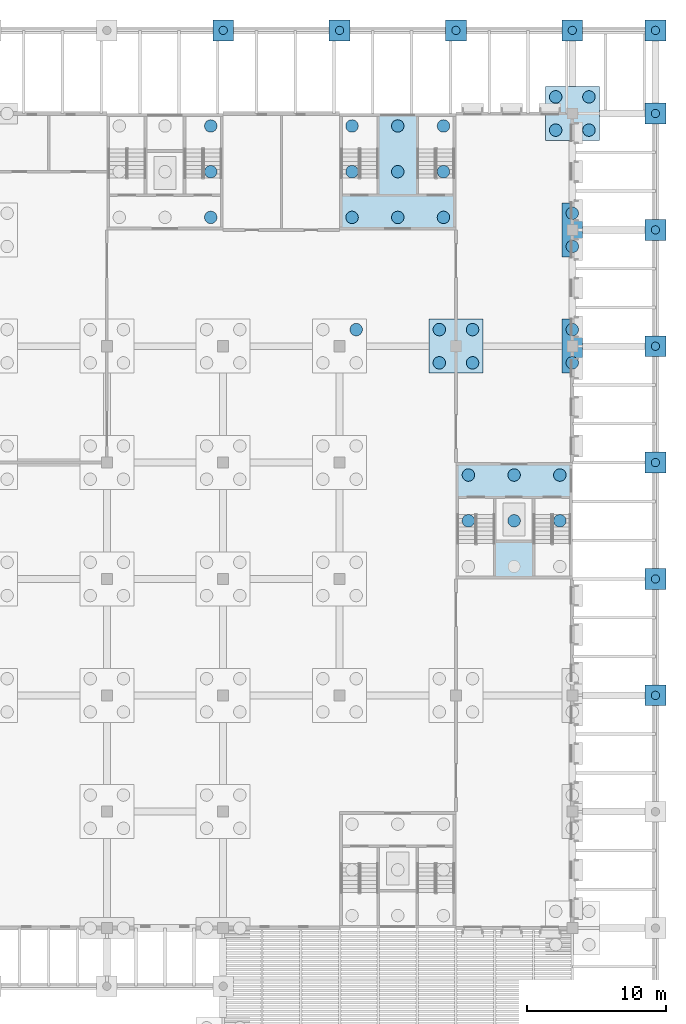
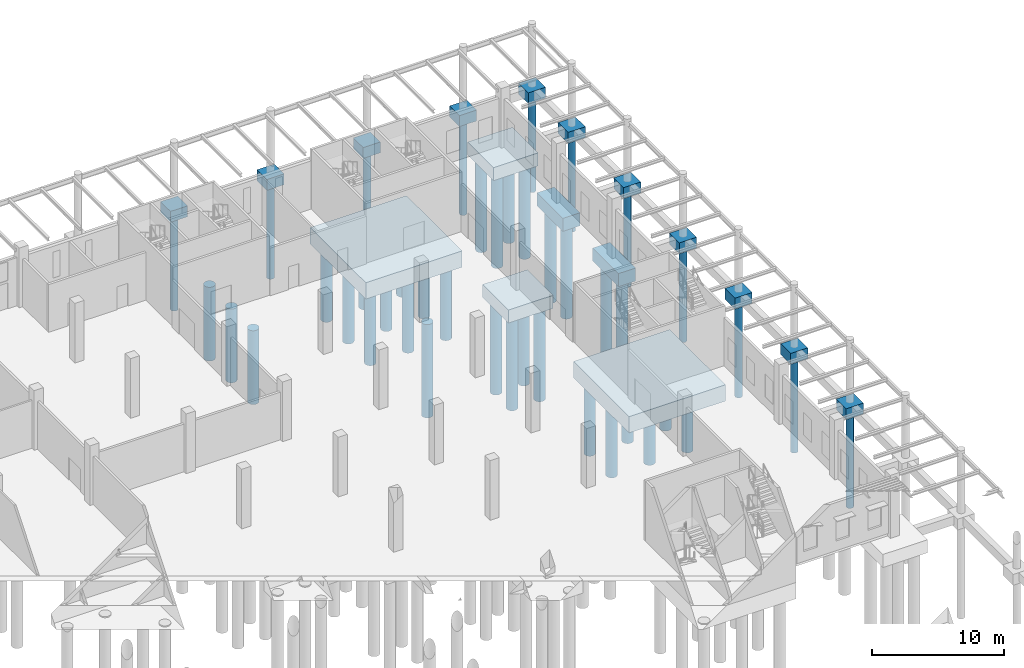
# One storey, part 5 of 82: 42 piles, 17 footings.
"""IFC4 building model written with IfcOpenShell, lengths in metres."""

from ifc_helpers import new_model, si_unit, direction, frame, origin, origin_2d, place, context, subcontext, project, spatial, rectangle, circle, extrude, material, material_profile, profile_set, type_object, element, save


model = new_model("IFC4")

# Units and contexts
model_context = context("Model", 3, precision=1e-05, world=origin(), true_north=direction((0.0, 1.0)))
body_context = subcontext(model_context, "Body", "Model", "MODEL_VIEW")
ifc_project = project(units=[si_unit("LENGTHUNIT", "METRE"), si_unit("AREAUNIT", "SQUARE_METRE"), si_unit("VOLUMEUNIT", "CUBIC_METRE"), si_unit("PLANEANGLEUNIT", "RADIAN"), si_unit("MASSUNIT", "GRAM", prefix="KILO")], contexts=[model_context])

# Site, building, storey
site_placement = place(None, origin())
site = spatial("IfcSite", under=ifc_project, at=site_placement, CompositionType="ELEMENT")
building_placement = place(site_placement, origin())
building = spatial("IfcBuilding", under=site, at=building_placement, Name="Almond Square Museum", CompositionType="ELEMENT")
storey_placement = place(building_placement, origin())
storey = spatial("IfcBuildingStorey", under=building, at=storey_placement, Name="L00", CompositionType="ELEMENT", Elevation=0.0)

# Piles
ifc_material_1 = material(Name="Concrete C35/45", Category="concrete")
ifc_material_profile_1 = material_profile(ifc_material_1, circle(Radius=0.300048828125, at=origin_2d()))
ifc_profile_set_1 = profile_set([ifc_material_profile_1], Name="Concrete C35/45")
pile_type_1 = type_object("IfcPileType", Name="Bored pile D600 C35/45", PredefinedType="BORED", material=ifc_profile_set_1)
for number, where, z_axis, x_axis, name in (
    (1, (163.199951171875, 67.199951171875, -1.199951171875), (0.0, 0.0, -1.0), (1.0, 0.0, 0.0), "Bored pile 138-1"),
    (2, (163.199951171875, 75.60009765625, -1.199951171875), (0.0, 0.0, -1.0), (1.0, 0.0, 0.0), "Bored pile 153-1"),
    (3, (163.199951171875, 84.0, -1.199951171875), (0.0, 0.0, -1.0), (1.0, 0.0, 0.0), "Bored pile 172-1"),
    (4, (163.199951171875, 92.39990234375, -1.199951171875), (0.0, 0.0, -1.0), (1.0, 0.0, 0.0), "Bored pile 188-1"),
    (5, (163.199951171875, 100.800048828125, -1.199951171875), (0.0, 0.0, -1.0), (1.0, 0.0, 0.0), "Bored pile 200-1"),
    (6, (163.199951171875, 109.199951171875, -1.199951171875), (0.0, 0.0, -1.0), (1.0, 0.0, 0.0), "Bored pile 218-1"),
    (7, (132.0, 115.199951171875, -1.199951171875), (0.0, 0.0, -1.0), (1.0, 0.0, 0.0), "Bored pile 235-1"),
    (8, (140.39990234375, 115.199951171875, -1.199951171875), (0.0, 0.0, -1.0), (1.0, 0.0, 0.0), "Bored pile 236-1"),
    (9, (148.800048828125, 115.199951171875, -1.199951171875), (0.0, 0.0, -1.0), (1.0, 0.0, 0.0), "Bored pile 237-1"),
    (10, (157.199951171875, 115.199951171875, -1.199951171875), (0.0, 0.0, -1.0), (1.0, 0.0, 0.0), "Bored pile 238-1"),
    (11, (163.199951171875, 115.199951171875, -1.199951171875), (0.0, 0.0, -1.0), (1.0, 0.0, 0.0), "Bored pile 239-1"),
):
    element("IfcPile", number, at=place(storey_placement, frame(where, z_axis=z_axis, x_axis=x_axis)), inside=storey, type_object=pile_type_1, Name=name, PredefinedType="BORED", context=body_context, shape_type="SweptSolid", body=[
        extrude(circle(Radius=0.300048828125, at=origin_2d()), origin(), (0.0, 0.0, 1.0), 8.800048828125),
    ])
ifc_material_2 = material(Name="Concrete C35/45", Category="concrete")
ifc_material_profile_2 = material_profile(ifc_material_2, circle(Radius=0.449951171875, at=origin_2d()))
ifc_profile_set_2 = profile_set([ifc_material_profile_2], Name="Concrete C35/45")
pile_type_2 = type_object("IfcPileType", Name="Bored pile D900 C35/45", PredefinedType="BORED", material=ifc_profile_set_2)
for number, where, z_axis, x_axis, name in (
    (12, (149.699951171875, 79.800048828125, -3.199951171875), (0.0, 0.0, -1.0), (1.0, 0.0, 0.0), "Bored pile 156-2"),
    (13, (149.699951171875, 83.10009765625, -3.199951171875), (0.0, 0.0, -1.0), (1.0, 0.0, 0.0), "Bored pile 156-3"),
    (14, (153.0, 79.800048828125, -3.199951171875), (0.0, 0.0, -1.0), (1.0, 0.0, 0.0), "Bored pile 156-5"),
    (15, (153.0, 83.10009765625, -3.199951171875), (0.0, 0.0, -1.0), (1.0, 0.0, 0.0), "Bored pile 156-6"),
    (16, (156.300048828125, 79.800048828125, -3.199951171875), (0.0, 0.0, -1.0), (1.0, 0.0, 0.0), "Bored pile 156-8"),
    (17, (156.300048828125, 83.10009765625, -3.199951171875), (0.0, 0.0, -1.0), (1.0, 0.0, 0.0), "Bored pile 156-9"),
):
    element("IfcPile", number, at=place(storey_placement, frame(where, z_axis=z_axis, x_axis=x_axis)), inside=storey, type_object=pile_type_2, Name=name, PredefinedType="BORED", context=body_context, shape_type="SweptSolid", body=[
        extrude(circle(Radius=0.449951171875, at=origin_2d()), origin(), (0.0, 0.0, 1.0), 6.800048828125),
    ])
for number, where, z_axis, x_axis, name in (
    (18, (141.60009765625, 93.60009765625, -1.39990234375), (0.0, 0.0, -1.0), (1.0, 0.0, 0.0), "Bored pile 184-4"),
    (19, (147.60009765625, 91.199951171875, -1.39990234375), (0.0, 0.0, -1.0), (1.0, 0.0, 0.0), "Bored pile 185-1"),
    (20, (147.60009765625, 93.60009765625, -1.39990234375), (0.0, 0.0, -1.0), (1.0, 0.0, 0.0), "Bored pile 185-2"),
    (21, (150.0, 91.199951171875, -1.39990234375), (0.0, 0.0, -1.0), (1.0, 0.0, 0.0), "Bored pile 185-3"),
    (22, (150.0, 93.60009765625, -1.39990234375), (0.0, 0.0, -1.0), (1.0, 0.0, 0.0), "Bored pile 185-4"),
    (23, (157.199951171875, 91.199951171875, -1.39990234375), (0.0, 0.0, -1.0), (1.0, 0.0, 0.0), "Bored pile 186-1"),
    (24, (157.199951171875, 93.60009765625, -1.39990234375), (0.0, 0.0, -1.0), (1.0, 0.0, 0.0), "Bored pile 186-2"),
    (25, (157.199951171875, 99.60009765625, -1.39990234375), (0.0, 0.0, -1.0), (1.0, 0.0, 0.0), "Bored pile 198-1"),
    (26, (157.199951171875, 102.0, -1.39990234375), (0.0, 0.0, -1.0), (1.0, 0.0, 0.0), "Bored pile 198-2"),
):
    element("IfcPile", number, at=place(storey_placement, frame(where, z_axis=z_axis, x_axis=x_axis)), inside=storey, type_object=pile_type_2, Name=name, PredefinedType="BORED", context=body_context, shape_type="SweptSolid", body=[
        extrude(circle(Radius=0.449951171875, at=origin_2d()), origin(), (0.0, 0.0, 1.0), 8.60009765625),
    ])
for number, where, z_axis, x_axis, name in (
    (27, (131.10009765625, 101.699951171875, -3.199951171875), (0.0, 0.0, -1.0), (1.0, 0.0, 0.0), "Bored pile 202-7"),
    (28, (131.10009765625, 105.0, -3.199951171875), (0.0, 0.0, -1.0), (1.0, 0.0, 0.0), "Bored pile 202-8"),
    (29, (131.10009765625, 108.300048828125, -3.199951171875), (0.0, 0.0, -1.0), (1.0, 0.0, 0.0), "Bored pile 202-9"),
    (30, (141.300048828125, 101.699951171875, -3.199951171875), (0.0, 0.0, -1.0), (1.0, 0.0, 0.0), "Bored pile 203-1"),
    (31, (141.300048828125, 105.0, -3.199951171875), (0.0, 0.0, -1.0), (1.0, 0.0, 0.0), "Bored pile 203-2"),
    (32, (141.300048828125, 108.300048828125, -3.199951171875), (0.0, 0.0, -1.0), (1.0, 0.0, 0.0), "Bored pile 203-3"),
    (33, (144.60009765625, 101.699951171875, -3.199951171875), (0.0, 0.0, -1.0), (1.0, 0.0, 0.0), "Bored pile 203-4"),
    (34, (144.60009765625, 105.0, -3.199951171875), (0.0, 0.0, -1.0), (1.0, 0.0, 0.0), "Bored pile 203-5"),
    (35, (144.60009765625, 108.300048828125, -3.199951171875), (0.0, 0.0, -1.0), (1.0, 0.0, 0.0), "Bored pile 203-6"),
    (36, (147.89990234375, 101.699951171875, -3.199951171875), (0.0, 0.0, -1.0), (1.0, 0.0, 0.0), "Bored pile 203-7"),
    (37, (147.89990234375, 105.0, -3.199951171875), (0.0, 0.0, -1.0), (1.0, 0.0, 0.0), "Bored pile 203-8"),
    (38, (147.89990234375, 108.300048828125, -3.199951171875), (0.0, 0.0, -1.0), (1.0, 0.0, 0.0), "Bored pile 203-9"),
):
    element("IfcPile", number, at=place(storey_placement, frame(where, z_axis=z_axis, x_axis=x_axis)), inside=storey, type_object=pile_type_2, Name=name, PredefinedType="BORED", context=body_context, shape_type="SweptSolid", body=[
        extrude(circle(Radius=0.449951171875, at=origin_2d()), origin(), (0.0, 0.0, 1.0), 6.800048828125),
    ])
for number, where, z_axis, x_axis, name in (
    (39, (156.0, 108.0, -1.39990234375), (0.0, 0.0, -1.0), (1.0, 0.0, 0.0), "Bored pile 205-1"),
    (40, (156.0, 110.39990234375, -1.39990234375), (0.0, 0.0, -1.0), (1.0, 0.0, 0.0), "Bored pile 205-2"),
    (41, (158.39990234375, 108.0, -1.39990234375), (0.0, 0.0, -1.0), (1.0, 0.0, 0.0), "Bored pile 205-3"),
    (42, (158.39990234375, 110.39990234375, -1.39990234375), (0.0, 0.0, -1.0), (1.0, 0.0, 0.0), "Bored pile 205-4"),
):
    element("IfcPile", number, at=place(storey_placement, frame(where, z_axis=z_axis, x_axis=x_axis)), inside=storey, type_object=pile_type_2, Name=name, PredefinedType="BORED", context=body_context, shape_type="SweptSolid", body=[
        extrude(circle(Radius=0.449951171875, at=origin_2d()), origin(), (0.0, 0.0, 1.0), 8.60009765625),
    ])

# Footings
ifc_material_3 = material(Name="Concrete C35/45", Category="concrete")
footing_type_1 = type_object("IfcFootingType", Name="Pile cap on four bored piles D900", PredefinedType="PILE_CAP", material=ifc_material_3)
for number, where, z_axis, x_axis, name in (
    (43, (148.800048828125, 92.39990234375, -1.5), (0.0, 0.0, 1.0), (1.0, 0.0, 0.0), "Pile cap PC-185"),
    (44, (157.199951171875, 109.199951171875, -1.5), (0.0, 0.0, 1.0), (1.0, 0.0, 0.0), "Pile cap PC-205"),
):
    element("IfcFooting", number, at=place(storey_placement, frame(where, z_axis=z_axis, x_axis=x_axis)), inside=storey, type_object=footing_type_1, Name=name, PredefinedType="PILE_CAP", context=body_context, shape_type="SweptSolid", body=[
        extrude(rectangle(XDim=3.89990234375, YDim=3.89990234375, at=origin_2d()), origin(), (0.0, 0.0, 1.0), 1.199951171875),
    ])
ifc_material_4 = material(Name="Concrete C35/45", Category="concrete")
footing_type_2 = type_object("IfcFootingType", Name="Pile cap on nine bored piles D900 under a stair core", PredefinedType="PILE_CAP", material=ifc_material_4)
for number, where, z_axis, x_axis, name in (
    (45, (153.0, 79.800048828125, -3.300048828125), (0.0, 0.0, 1.0), (1.0, 0.0, 0.0), "Pile cap PC-156"),
    (46, (144.60009765625, 105.0, -3.300048828125), (0.0, 0.0, 1.0), (1.0, 0.0, 0.0), "Pile cap PC-203"),
):
    element("IfcFooting", number, at=place(storey_placement, frame(where, z_axis=z_axis, x_axis=x_axis)), inside=storey, type_object=footing_type_2, Name=name, PredefinedType="PILE_CAP", context=body_context, shape_type="SweptSolid", body=[
        extrude(rectangle(XDim=8.39990234375, YDim=8.39990234375, at=origin_2d()), origin(), (0.0, 0.0, 1.0), 1.5),
    ])
ifc_material_5 = material(Name="Concrete C35/45", Category="concrete")
footing_type_3 = type_object("IfcFootingType", Name="Pile cap on one bored pile D600", PredefinedType="PILE_CAP", material=ifc_material_5)
for number, where, z_axis, x_axis, name in (
    (47, (163.199951171875, 67.199951171875, -1.300048828125), (0.0, 0.0, 1.0), (1.0, 0.0, 0.0), "Pile cap PC-138"),
    (48, (163.199951171875, 75.60009765625, -1.300048828125), (0.0, 0.0, 1.0), (1.0, 0.0, 0.0), "Pile cap PC-153"),
    (49, (163.199951171875, 84.0, -1.300048828125), (0.0, 0.0, 1.0), (1.0, 0.0, 0.0), "Pile cap PC-172"),
    (50, (163.199951171875, 92.39990234375, -1.300048828125), (0.0, 0.0, 1.0), (1.0, 0.0, 0.0), "Pile cap PC-188"),
    (51, (163.199951171875, 100.800048828125, -1.300048828125), (0.0, 0.0, 1.0), (1.0, 0.0, 0.0), "Pile cap PC-200"),
    (52, (163.199951171875, 109.199951171875, -1.300048828125), (0.0, 0.0, 1.0), (1.0, 0.0, 0.0), "Pile cap PC-218"),
    (53, (132.0, 115.199951171875, -1.300048828125), (0.0, 0.0, 1.0), (1.0, 0.0, 0.0), "Pile cap PC-235"),
    (54, (140.39990234375, 115.199951171875, -1.300048828125), (0.0, 0.0, 1.0), (1.0, 0.0, 0.0), "Pile cap PC-236"),
    (55, (148.800048828125, 115.199951171875, -1.300048828125), (0.0, 0.0, 1.0), (1.0, 0.0, 0.0), "Pile cap PC-237"),
    (56, (157.199951171875, 115.199951171875, -1.300048828125), (0.0, 0.0, 1.0), (1.0, 0.0, 0.0), "Pile cap PC-238"),
    (57, (163.199951171875, 115.199951171875, -1.300048828125), (0.0, 0.0, 1.0), (1.0, 0.0, 0.0), "Pile cap PC-239"),
):
    element("IfcFooting", number, at=place(storey_placement, frame(where, z_axis=z_axis, x_axis=x_axis)), inside=storey, type_object=footing_type_3, Name=name, PredefinedType="PILE_CAP", context=body_context, shape_type="SweptSolid", body=[
        extrude(rectangle(XDim=1.5, YDim=1.5, at=origin_2d()), origin(), (0.0, 0.0, 1.0), 1.0),
    ])
ifc_material_6 = material(Name="Concrete C35/45", Category="concrete")
footing_type_4 = type_object("IfcFootingType", Name="Pile cap on two bored piles D900", PredefinedType="PILE_CAP", material=ifc_material_6)
for number, where, z_axis, x_axis, name in (
    (58, (157.199951171875, 92.39990234375, -1.5), (0.0, 0.0, 1.0), (1.0, 0.0, 0.0), "Pile cap PC-186"),
    (59, (157.199951171875, 100.800048828125, -1.5), (0.0, 0.0, 1.0), (1.0, 0.0, 0.0), "Pile cap PC-198"),
):
    element("IfcFooting", number, at=place(storey_placement, frame(where, z_axis=z_axis, x_axis=x_axis)), inside=storey, type_object=footing_type_4, Name=name, PredefinedType="PILE_CAP", context=body_context, shape_type="SweptSolid", body=[
        extrude(rectangle(XDim=1.5, YDim=3.89990234375, at=origin_2d()), origin(), (0.0, 0.0, 1.0), 1.199951171875),
    ])

save(model, "model.ifc")
